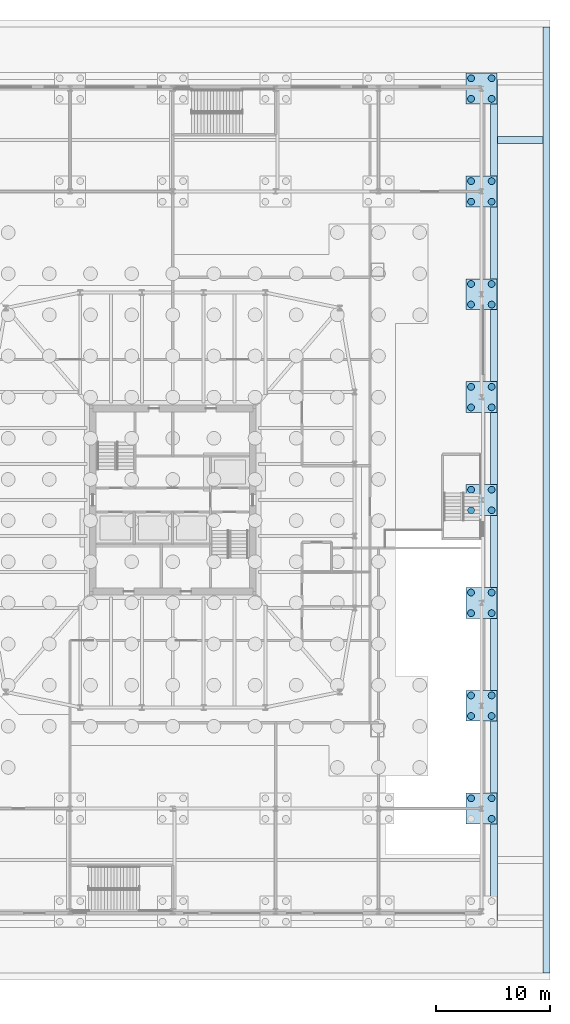
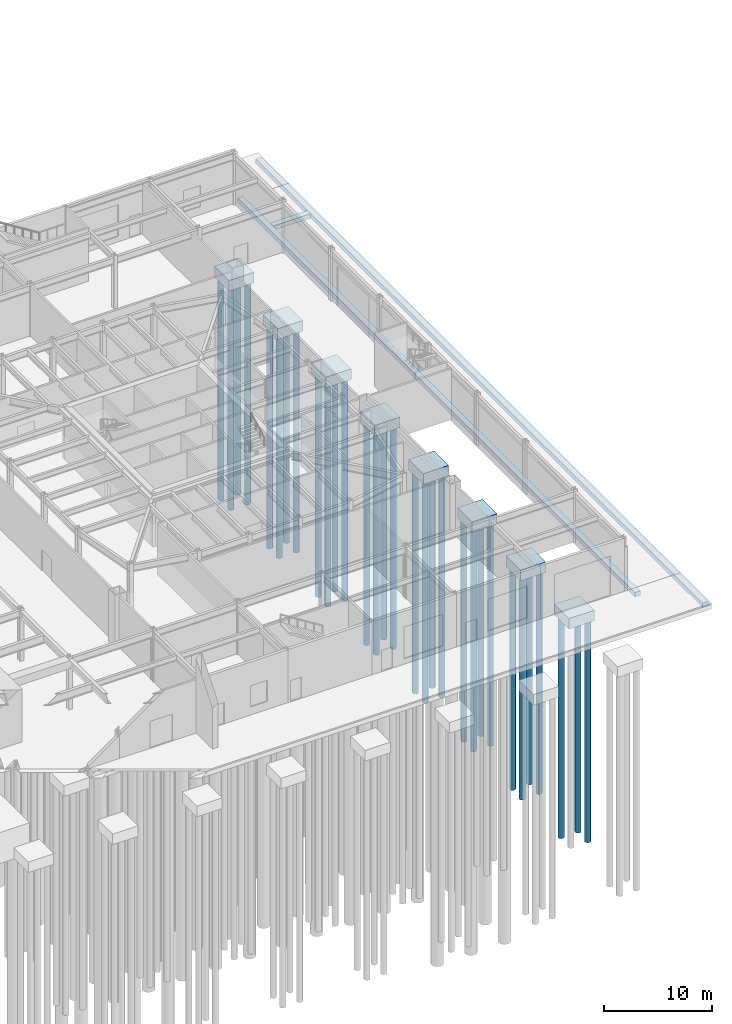
# One storey, part 4 of 37: 31 piles, 11 footings.
"""IFC4 building model written with IfcOpenShell, lengths in metres."""

from ifc_helpers import new_model, si_unit, direction, frame, origin, origin_2d, place, context, subcontext, project, spatial, rectangle, circle, extrude, material, material_profile, profile_set, type_object, element, save


model = new_model("IFC4")

# Units and contexts
model_context = context("Model", 3, precision=1e-05, world=origin(), true_north=direction((0.0, 1.0)))
body_context = subcontext(model_context, "Body", "Model", "MODEL_VIEW")
ifc_project = project(units=[si_unit("LENGTHUNIT", "METRE"), si_unit("AREAUNIT", "SQUARE_METRE"), si_unit("VOLUMEUNIT", "CUBIC_METRE"), si_unit("PLANEANGLEUNIT", "RADIAN"), si_unit("MASSUNIT", "GRAM", prefix="KILO")], contexts=[model_context])

# Site, building, storey
site_placement = place(None, origin())
site = spatial("IfcSite", under=ifc_project, at=site_placement, CompositionType="ELEMENT")
building_placement = place(site_placement, origin())
building = spatial("IfcBuilding", under=site, at=building_placement, Name="Iwan Alto Co-Living Towers", CompositionType="ELEMENT")
storey_placement = place(building_placement, origin())
storey = spatial("IfcBuildingStorey", under=building, at=storey_placement, Name="L00", CompositionType="ELEMENT", Elevation=0.0)

# Piles
ifc_material_1 = material(Name="Concrete f'c 35 MPa", Category="concrete")
ifc_material_profile = material_profile(ifc_material_1, circle(Radius=0.300048828125, at=origin_2d()), Name="D600")
ifc_profile_set = profile_set([ifc_material_profile], Name="Concrete f'c 35 MPa")
pile_type = type_object("IfcPileType", Name="BORED PILE D600", PredefinedType="BORED", material=ifc_profile_set)
for number, where, z_axis, x_axis, name in (
    (1, (90.89990234375, -27.89990234375, -8.64990234375), (0.0, 0.0, -1.0), (1.0, 0.0, 0.0), "Pile 15/B/2"),
    (2, (90.89990234375, -26.10009765625, -8.64990234375), (0.0, 0.0, -1.0), (1.0, 0.0, 0.0), "Pile 15/B/3"),
    (3, (89.10009765625, -26.10009765625, -8.64990234375), (0.0, 0.0, -1.0), (1.0, 0.0, 0.0), "Pile 15/B/4"),
    (4, (89.10009765625, -18.89990234375, -8.64990234375), (0.0, 0.0, -1.0), (1.0, 0.0, 0.0), "Pile 15/C/1"),
    (5, (90.89990234375, -18.89990234375, -8.64990234375), (0.0, 0.0, -1.0), (1.0, 0.0, 0.0), "Pile 15/C/2"),
    (6, (90.89990234375, -17.10009765625, -8.64990234375), (0.0, 0.0, -1.0), (1.0, 0.0, 0.0), "Pile 15/C/3"),
    (7, (89.10009765625, -17.10009765625, -8.64990234375), (0.0, 0.0, -1.0), (1.0, 0.0, 0.0), "Pile 15/C/4"),
    (8, (89.10009765625, -9.89990234375, -8.64990234375), (0.0, 0.0, -1.0), (1.0, 0.0, 0.0), "Pile 15/D/1"),
    (9, (90.89990234375, -9.89990234375, -8.64990234375), (0.0, 0.0, -1.0), (1.0, 0.0, 0.0), "Pile 15/D/2"),
    (10, (90.89990234375, -8.10009765625, -8.64990234375), (0.0, 0.0, -1.0), (1.0, 0.0, 0.0), "Pile 15/D/3"),
    (11, (89.10009765625, -8.10009765625, -8.64990234375), (0.0, 0.0, -1.0), (1.0, 0.0, 0.0), "Pile 15/D/4"),
    (12, (89.10009765625, -0.89990234375, -8.64990234375), (0.0, 0.0, -1.0), (1.0, 0.0, 0.0), "Pile 15/E/1"),
    (13, (90.89990234375, -0.89990234375, -8.64990234375), (0.0, 0.0, -1.0), (1.0, 0.0, 0.0), "Pile 15/E/2"),
    (14, (90.89990234375, 0.89990234375, -8.64990234375), (0.0, 0.0, -1.0), (1.0, 0.0, 0.0), "Pile 15/E/3"),
    (15, (89.10009765625, 0.89990234375, -8.64990234375), (0.0, 0.0, -1.0), (1.0, 0.0, 0.0), "Pile 15/E/4"),
    (16, (89.10009765625, 8.10009765625, -8.64990234375), (0.0, 0.0, -1.0), (1.0, 0.0, 0.0), "Pile 15/F/1"),
    (17, (90.89990234375, 8.10009765625, -8.64990234375), (0.0, 0.0, -1.0), (1.0, 0.0, 0.0), "Pile 15/F/2"),
    (18, (90.89990234375, 9.89990234375, -8.64990234375), (0.0, 0.0, -1.0), (1.0, 0.0, 0.0), "Pile 15/F/3"),
    (19, (89.10009765625, 9.89990234375, -8.64990234375), (0.0, 0.0, -1.0), (1.0, 0.0, 0.0), "Pile 15/F/4"),
    (20, (89.10009765625, 17.10009765625, -8.64990234375), (0.0, 0.0, -1.0), (1.0, 0.0, 0.0), "Pile 15/G/1"),
    (21, (90.89990234375, 17.10009765625, -8.64990234375), (0.0, 0.0, -1.0), (1.0, 0.0, 0.0), "Pile 15/G/2"),
    (22, (90.89990234375, 18.89990234375, -8.64990234375), (0.0, 0.0, -1.0), (1.0, 0.0, 0.0), "Pile 15/G/3"),
    (23, (89.10009765625, 18.89990234375, -8.64990234375), (0.0, 0.0, -1.0), (1.0, 0.0, 0.0), "Pile 15/G/4"),
    (24, (89.10009765625, 26.10009765625, -8.64990234375), (0.0, 0.0, -1.0), (1.0, 0.0, 0.0), "Pile 15/H/1"),
    (25, (90.89990234375, 26.10009765625, -8.64990234375), (0.0, 0.0, -1.0), (1.0, 0.0, 0.0), "Pile 15/H/2"),
    (26, (90.89990234375, 27.89990234375, -8.64990234375), (0.0, 0.0, -1.0), (1.0, 0.0, 0.0), "Pile 15/H/3"),
    (27, (89.10009765625, 27.89990234375, -8.64990234375), (0.0, 0.0, -1.0), (1.0, 0.0, 0.0), "Pile 15/H/4"),
    (28, (89.10009765625, 35.10009765625, -8.64990234375), (0.0, 0.0, -1.0), (1.0, 0.0, 0.0), "Pile 15/I/1"),
    (29, (90.89990234375, 35.10009765625, -8.64990234375), (0.0, 0.0, -1.0), (1.0, 0.0, 0.0), "Pile 15/I/2"),
    (30, (90.89990234375, 36.89990234375, -8.64990234375), (0.0, 0.0, -1.0), (1.0, 0.0, 0.0), "Pile 15/I/3"),
    (31, (89.10009765625, 36.89990234375, -8.64990234375), (0.0, 0.0, -1.0), (1.0, 0.0, 0.0), "Pile 15/I/4"),
):
    element("IfcPile", number, at=place(storey_placement, frame(where, z_axis=z_axis, x_axis=x_axis)), inside=storey, type_object=pile_type, Name=name, PredefinedType="BORED", context=body_context, shape_type="SweptSolid", body=[
        extrude(circle(Radius=0.300048828125, at=origin_2d()), origin(), (0.0, 0.0, 1.0), 25.0),
    ])

# Footings
ifc_material_2 = material(Name="Concrete f'c 25 MPa", Category="concrete")
footing_type_1 = type_object("IfcFootingType", Name="PAVING EDGE FOOTING 600X500", PredefinedType="STRIP_FOOTING", material=ifc_material_2)
footing_1_placement = place(storey_placement, frame((95.699951171875, 0.0, -0.64990234375), z_axis=(0.0, 0.0, 1.0), x_axis=(1.0, 0.0, 0.0)))
element("IfcFooting", 32, at=footing_1_placement, inside=storey, type_object=footing_type_1, Name="Paving edge footing E 1.1", PredefinedType="STRIP_FOOTING", context=body_context, shape_type="SweptSolid", body=[
    extrude(rectangle(XDim=0.60009765625, YDim=82.800048828125, at=origin_2d()), origin(), (0.0, 0.0, 1.0), 0.5),
])
footing_2_placement = place(storey_placement, frame((91.10009765625, 0.0, -0.64990234375), z_axis=(0.0, 0.0, 1.0), x_axis=(1.0, 0.0, 0.0)))
element("IfcFooting", 33, at=footing_2_placement, inside=storey, type_object=footing_type_1, Name="Paving edge footing E 2.1", PredefinedType="STRIP_FOOTING", context=body_context, shape_type="SweptSolid", body=[
    extrude(rectangle(XDim=0.60009765625, YDim=73.60009765625, at=origin_2d()), origin(), (0.0, 0.0, 1.0), 0.5),
])
footing_3_placement = place(storey_placement, frame((93.39990234375, 31.5, -0.64990234375), z_axis=(0.0, 0.0, 1.0), x_axis=(1.0, 0.0, 0.0)))
element("IfcFooting", 34, at=footing_3_placement, inside=storey, type_object=footing_type_1, Name="Paving tie footing E N", PredefinedType="STRIP_FOOTING", context=body_context, shape_type="SweptSolid", body=[
    extrude(rectangle(XDim=4.0, YDim=0.60009765625, at=origin_2d()), origin(), (0.0, 0.0, 1.0), 0.5),
])
ifc_material_3 = material(Name="Concrete f'c 35 MPa", Category="concrete")
footing_type_2 = type_object("IfcFootingType", Name="PILE CAP 2700X2700X1200", PredefinedType="PILE_CAP", material=ifc_material_3)
for number, where, z_axis, x_axis, name in (
    (35, (90.0, -27.0, -8.64990234375), (0.0, 0.0, 1.0), (1.0, 0.0, 0.0), "Pile cap 15/B"),
    (36, (90.0, -18.0, -8.64990234375), (0.0, 0.0, 1.0), (1.0, 0.0, 0.0), "Pile cap 15/C"),
    (37, (90.0, -9.0, -8.64990234375), (0.0, 0.0, 1.0), (1.0, 0.0, 0.0), "Pile cap 15/D"),
    (38, (90.0, 0.0, -8.64990234375), (0.0, 0.0, 1.0), (1.0, 0.0, 0.0), "Pile cap 15/E"),
    (39, (90.0, 9.0, -8.64990234375), (0.0, 0.0, 1.0), (1.0, 0.0, 0.0), "Pile cap 15/F"),
    (40, (90.0, 18.0, -8.64990234375), (0.0, 0.0, 1.0), (1.0, 0.0, 0.0), "Pile cap 15/G"),
    (41, (90.0, 27.0, -8.64990234375), (0.0, 0.0, 1.0), (1.0, 0.0, 0.0), "Pile cap 15/H"),
    (42, (90.0, 36.0, -8.64990234375), (0.0, 0.0, 1.0), (1.0, 0.0, 0.0), "Pile cap 15/I"),
):
    element("IfcFooting", number, at=place(storey_placement, frame(where, z_axis=z_axis, x_axis=x_axis)), inside=storey, type_object=footing_type_2, Name=name, PredefinedType="PILE_CAP", context=body_context, shape_type="SweptSolid", body=[
        extrude(rectangle(XDim=2.699951171875, YDim=2.699951171875, at=origin_2d()), origin(), (0.0, 0.0, 1.0), 1.199951171875),
    ])

save(model, "model.ifc")
